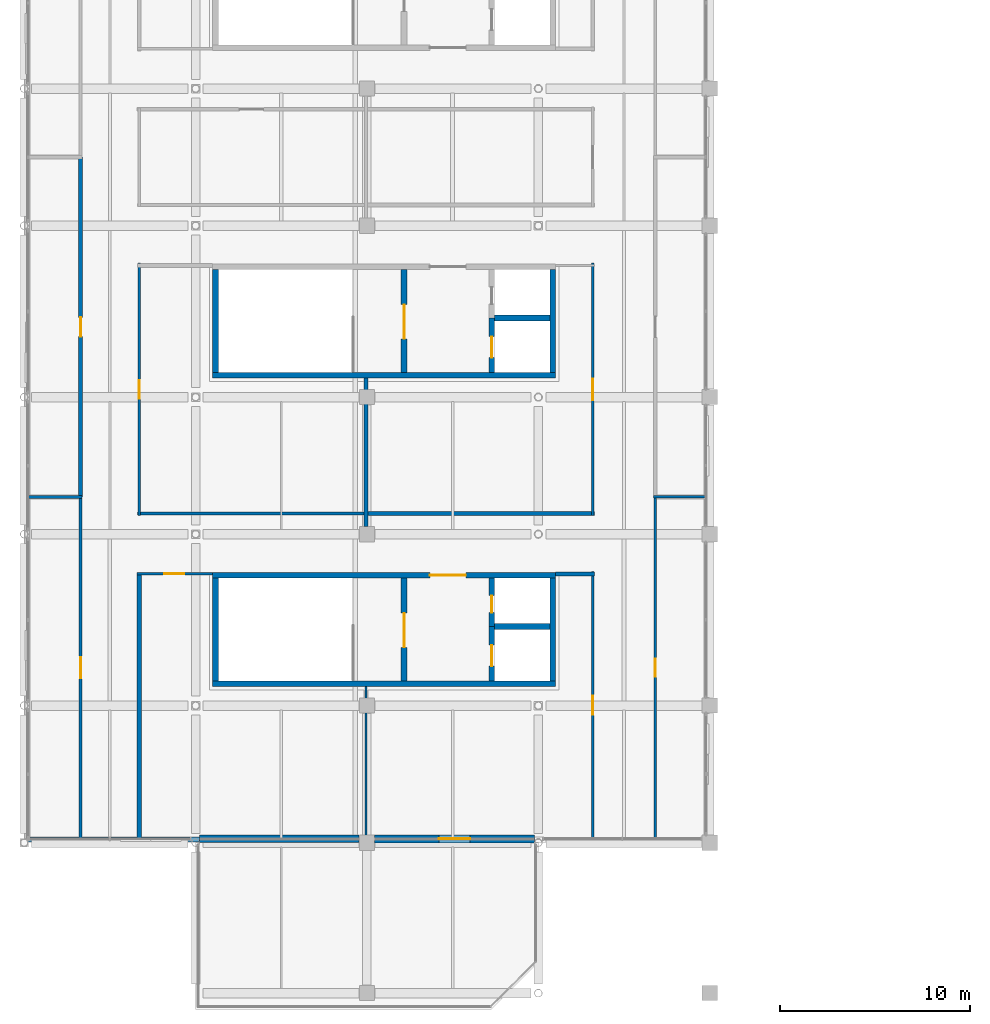
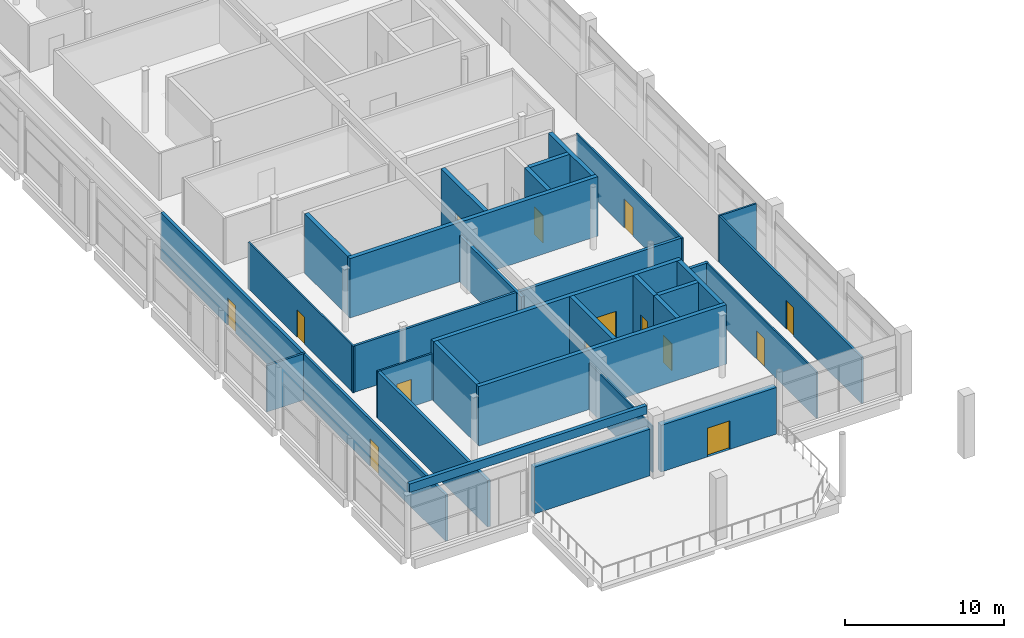
# One storey, part 103 of 114: 32 walls, 14 doors, 14 openings.
"""IFC4 building model written with IfcOpenShell, lengths in metres."""

from ifc_helpers import new_model, si_unit, direction, frame, frame_2d, origin, place, context, subcontext, project, spatial, rectangle, extrude, material, layer, layer_set, type_object, element, fill, save


model = new_model("IFC4")

# Units and contexts
model_context = context("Model", 3, precision=1e-05, world=origin(), true_north=direction((0.0, 1.0)))
body_context = subcontext(model_context, "Body", "Model", "MODEL_VIEW")
ifc_project = project(units=[si_unit("LENGTHUNIT", "METRE"), si_unit("AREAUNIT", "SQUARE_METRE"), si_unit("VOLUMEUNIT", "CUBIC_METRE"), si_unit("PLANEANGLEUNIT", "RADIAN"), si_unit("MASSUNIT", "GRAM", prefix="KILO"), si_unit("THERMODYNAMICTEMPERATUREUNIT", "KELVIN"), si_unit("POWERUNIT", "WATT")], contexts=[model_context])

# Site, building, storey
site_placement = place(None, origin())
site = spatial("IfcSite", under=ifc_project, at=site_placement, CompositionType="ELEMENT")
building_placement = place(site_placement, origin())
building = spatial("IfcBuilding", under=site, at=building_placement, Name="Sindhuravela Promenade Stadium", CompositionType="ELEMENT")
storey_placement = place(building_placement, frame((0.0, 0.0, 24.0)))
storey = spatial("IfcBuildingStorey", under=building, at=storey_placement, Name="L05", CompositionType="ELEMENT", Elevation=24.0)

# Wall
ifc_material_1 = material(Name="Terracotta clay brick masonry (15 MPa)", Category="masonry")
ifc_layer_1 = layer(ifc_material_1, 0.39990234375)
ifc_layer_set_1 = layer_set([ifc_layer_1], Name="Terracotta clay brick masonry (15 MPa)")
wall_type_1 = type_object("IfcWallType", Name="EX-WL-BRK400", PredefinedType="SOLIDWALL", material=ifc_layer_set_1)
wall_1_placement = place(storey_placement, frame((17.594970703125, 45.199951171875, 0.0), z_axis=(0.0, 0.0, 1.0), x_axis=(-1.0, 0.0, 0.0)))
element("IfcWall", 1, at=wall_1_placement, inside=storey, type_object=wall_type_1, Name="Exterior masonry wall EW03 WEST L05", PredefinedType="SOLIDWALL", context=body_context, shape_type="SweptSolid", body=[
    extrude(rectangle(XDim=8.38671875, YDim=0.39990234375, at=frame_2d((4.193359375, 0.0))), origin(), (0.0, 0.0, 1.0), 3.580078125),
])

# Wall, opening, door
ifc_layer_2 = layer(ifc_material_1, 0.419921875)
ifc_layer_set_2 = layer_set([ifc_layer_2], Name="Terracotta clay brick masonry (15 MPa)")
wall_type_2 = type_object("IfcWallType", Name="EX-WL-BRK420", PredefinedType="SOLIDWALL", material=ifc_layer_set_2)
wall_2_placement = place(storey_placement, frame((26.791748046875, 45.199951171875, 0.0), z_axis=(0.0, 0.0, 1.0), x_axis=(-1.0, 0.0, 0.0)))
wall_2 = element("IfcWall", 2, at=wall_2_placement, inside=storey, type_object=wall_type_2, Name="Exterior masonry wall EW02 WEST L05", PredefinedType="SOLIDWALL", context=body_context, shape_type="SweptSolid", body=[
    extrude(rectangle(XDim=8.38671875, YDim=0.419921875, at=frame_2d((4.193359375, 0.0))), origin(), (0.0, 0.0, 1.0), 3.580078125),
])
opening_1_placement = place(wall_2_placement, frame((3.368408203125, 0.0, 0.0)))
opening_1 = element("IfcOpeningElement", 3, at=opening_1_placement, cuts=wall_2, Name="Opening TD03", PredefinedType="OPENING", context=body_context, shape_type="SweptSolid", body=[
    extrude(rectangle(XDim=1.64990234375, YDim=2.199951171875, at=frame_2d((0.824951171875, 1.10009765625))), frame((0.0, 0.219970703125, 0.0), z_axis=(0.0, -1.0, 0.0), x_axis=(1.0, 0.0, 0.0)), (0.0, 0.0, 1.0), 0.43994140625),
])
ifc_material_2 = material(Name="Anodised architectural aluminium 6063-T6", Category="aluminium")
door_type_1 = type_object("IfcDoorType", Name="DR-TER-1650x2200", OperationType="DOUBLE_DOOR_SINGLE_SWING", PredefinedType="DOOR", material=ifc_material_2)
door_1_placement = place(opening_1_placement, origin())
door_1 = element("IfcDoor", 4, at=door_1_placement, inside=storey, type_object=door_type_1, Name="Terrace access door West Stand South Observation Terrace", OperationType="DOUBLE_DOOR_SINGLE_SWING", OverallHeight=2.199951171875, OverallWidth=1.64990234375, PredefinedType="DOOR", context=body_context, shape_type="SweptSolid", body=[
    extrude(rectangle(XDim=1.64990234375, YDim=2.199951171875, at=frame_2d((0.824951171875, 1.10009765625))), frame((0.0, 0.02490234375, 0.0), z_axis=(0.0, -1.0, 0.0), x_axis=(1.0, 0.0, 0.0)), (0.0, 0.0, 1.0), 0.050048828125),
])
fill(opening_1, door_1)

# Walls
ifc_layer_3 = layer(ifc_material_1, 0.27001953125)
ifc_layer_set_3 = layer_set([ifc_layer_3], Name="Terracotta clay brick masonry (15 MPa)")
wall_type_3 = type_object("IfcWallType", Name="EX-WL-PAR270", PredefinedType="PARAPET", material=ifc_layer_set_3)
wall_3_placement = place(storey_placement, frame((17.389892578125, 45.159912109375, 4.800048828125), z_axis=(0.0, 0.0, 1.0), x_axis=(-1.0, 0.0, 0.0)))
element("IfcWall", 5, at=wall_3_placement, inside=storey, type_object=wall_type_3, Name="Maintenance roof parapet WEST 4", PredefinedType="PARAPET", context=body_context, shape_type="SweptSolid", body=[
    extrude(rectangle(XDim=17.22998046875, YDim=0.27001953125, at=frame_2d((8.614990234375, 0.0))), origin(), (0.0, 0.0, 1.0), 0.64990234375),
])
ifc_material_3 = material(Name="Fire-rated gypsum partition board", Category="gypsum")
ifc_layer_4 = layer(ifc_material_3, 0.110107421875)
ifc_layer_set_4 = layer_set([ifc_layer_4], Name="Fire-rated gypsum partition board")
wall_type_4 = type_object("IfcWallType", Name="IN-WL-PAR110", PredefinedType="PARTITIONING", material=ifc_layer_set_4)
wall_4_placement = place(storey_placement, frame((17.949951171875, 53.197998046875, 0.0), z_axis=(0.0, 0.0, 1.0), x_axis=(0.0, -1.0, 0.0)))
element("IfcWall", 6, at=wall_4_placement, inside=storey, type_object=wall_type_4, Name="Interior partition IW06 WEST L05", PredefinedType="PARTITIONING", context=body_context, shape_type="SweptSolid", body=[
    extrude(rectangle(XDim=7.9580078125, YDim=0.110107421875, at=frame_2d((3.97900390625, 0.0))), origin(), (0.0, 0.0, 1.0), 3.56005859375),
])

# Wall, opening, door
wall_5_placement = place(storey_placement, frame((6.0400390625, 75.429931640625, 0.0), z_axis=(0.0, 0.0, 1.0), x_axis=(0.0, -1.0, 0.0)))
wall_5 = element("IfcWall", 7, at=wall_5_placement, inside=storey, type_object=wall_type_4, Name="Corridor partition IW06 Television Broadcast Studio A", PredefinedType="PARTITIONING", context=body_context, shape_type="SweptSolid", body=[
    extrude(rectangle(XDim=13.260009765625, YDim=0.110107421875, at=frame_2d((6.6298828125, 0.0))), origin(), (0.0, 0.0, 1.0), 3.56005859375),
])
opening_2_placement = place(wall_5_placement, frame((6.155029296875, 0.0, 0.0)))
opening_2 = element("IfcOpeningElement", 8, at=opening_2_placement, cuts=wall_5, Name="Opening ID09", PredefinedType="OPENING", context=body_context, shape_type="SweptSolid", body=[
    extrude(rectangle(XDim=0.949951171875, YDim=2.10009765625, at=frame_2d((0.47509765625, 1.050048828125))), frame((0.0, 0.06494140625, 0.0), z_axis=(0.0, -1.0, 0.0), x_axis=(1.0, 0.0, 0.0)), (0.0, 0.0, 1.0), 0.130126953125),
])
ifc_material_4 = material(Name="Architectural teak timber leaf", Category="wood")
door_type_2 = type_object("IfcDoorType", Name="DR-INT-950x2100", OperationType="NOTDEFINED", PredefinedType="DOOR", material=ifc_material_4)
door_2_placement = place(opening_2_placement, origin())
door_2 = element("IfcDoor", 9, at=door_2_placement, inside=storey, type_object=door_type_2, Name="Television Broadcast Studio A door", OperationType="SINGLE_SWING_LEFT", OverallHeight=2.10009765625, OverallWidth=0.949951171875, PredefinedType="DOOR", context=body_context, shape_type="SweptSolid", body=[
    extrude(rectangle(XDim=0.949951171875, YDim=2.10009765625, at=frame_2d((0.47509765625, 1.050048828125))), frame((0.0, 0.02490234375, 0.0), z_axis=(0.0, -1.0, 0.0), x_axis=(1.0, 0.0, 0.0)), (0.0, 0.0, 1.0), 0.050048828125),
])
fill(opening_2, door_2)

wall_6_placement = place(storey_placement, frame((29.860107421875, 45.199951171875, 0.0), z_axis=(0.0, 0.0, 1.0), x_axis=(0.0, 1.0, 0.0)))
wall_6 = element("IfcWall", 10, at=wall_6_placement, inside=storey, type_object=wall_type_4, Name="Corridor partition IW06 Match Commentary Boxes", PredefinedType="PARTITIONING", context=body_context, shape_type="SweptSolid", body=[
    extrude(rectangle(XDim=14.030029296875, YDim=0.110107421875, at=frame_2d((7.01513671875, 0.0))), origin(), (0.0, 0.0, 1.0), 3.56005859375),
])
opening_3_placement = place(wall_6_placement, frame((6.5048828125, 0.0, 0.0)))
opening_3 = element("IfcOpeningElement", 11, at=opening_3_placement, cuts=wall_6, Name="Opening ID11", PredefinedType="OPENING", context=body_context, shape_type="SweptSolid", body=[
    extrude(rectangle(XDim=1.02001953125, YDim=2.159912109375, at=frame_2d((0.510009765625, 1.080078125))), frame((0.0, 0.06494140625, 0.0), z_axis=(0.0, -1.0, 0.0), x_axis=(1.0, 0.0, 0.0)), (0.0, 0.0, 1.0), 0.130126953125),
])
door_type_3 = type_object("IfcDoorType", Name="DR-INT-1020x2160", OperationType="NOTDEFINED", PredefinedType="DOOR", material=ifc_material_4)
door_3_placement = place(opening_3_placement, origin())
door_3 = element("IfcDoor", 12, at=door_3_placement, inside=storey, type_object=door_type_3, Name="Match Commentary Boxes door", OperationType="SINGLE_SWING_LEFT", OverallHeight=2.159912109375, OverallWidth=1.02001953125, PredefinedType="DOOR", context=body_context, shape_type="SweptSolid", body=[
    extrude(rectangle(XDim=1.02001953125, YDim=2.159912109375, at=frame_2d((0.510009765625, 1.080078125))), frame((0.0, 0.02490234375, 0.0), z_axis=(0.0, -1.0, 0.0), x_axis=(1.0, 0.0, 0.0)), (0.0, 0.0, 1.0), 0.050048828125),
])
fill(opening_3, door_3)

ifc_layer_5 = layer(ifc_material_3, 0.1298828125)
ifc_layer_set_5 = layer_set([ifc_layer_5], Name="Fire-rated gypsum partition board")
wall_type_5 = type_object("IfcWallType", Name="IN-WL-PAR130", PredefinedType="PARTITIONING", material=ifc_layer_set_5)
wall_7_placement = place(storey_placement, frame((9.89794921875, 59.110107421875, 0.0), z_axis=(0.0, 0.0, 1.0), x_axis=(-1.0, 0.0, 0.0)))
wall_7 = element("IfcWall", 13, at=wall_7_placement, inside=storey, type_object=wall_type_5, Name="Corridor partition IW05 Press Conference Hall", PredefinedType="PARTITIONING", context=body_context, shape_type="SweptSolid", body=[
    extrude(rectangle(XDim=3.97802734375, YDim=0.1298828125, at=frame_2d((1.989013671875, 0.0))), origin(), (0.0, 0.0, 1.0), 3.56005859375),
])
opening_4_placement = place(wall_7_placement, frame((1.5029296875, 0.0, 0.0)))
opening_4 = element("IfcOpeningElement", 14, at=opening_4_placement, cuts=wall_7, Name="Opening ID07", PredefinedType="OPENING", context=body_context, shape_type="SweptSolid", body=[
    extrude(rectangle(XDim=1.050048828125, YDim=2.10009765625, at=frame_2d((0.52490234375, 1.050048828125))), frame((0.0, 0.074951171875, 0.0), z_axis=(0.0, -1.0, 0.0), x_axis=(1.0, 0.0, 0.0)), (0.0, 0.0, 1.0), 0.14990234375),
])
door_type_4 = type_object("IfcDoorType", Name="DR-INT-1050x2100", OperationType="NOTDEFINED", PredefinedType="DOOR", material=ifc_material_4)
door_4_placement = place(opening_4_placement, origin())
door_4 = element("IfcDoor", 15, at=door_4_placement, inside=storey, type_object=door_type_4, Name="Press Conference Hall door", OperationType="SINGLE_SWING_LEFT", OverallHeight=2.10009765625, OverallWidth=1.050048828125, PredefinedType="DOOR", context=body_context, shape_type="SweptSolid", body=[
    extrude(rectangle(XDim=1.050048828125, YDim=2.10009765625, at=frame_2d((0.52490234375, 1.050048828125))), frame((0.0, 0.02490234375, 0.0), z_axis=(0.0, -1.0, 0.0), x_axis=(1.0, 0.0, 0.0)), (0.0, 0.0, 1.0), 0.050048828125),
])
fill(opening_4, door_4)

wall_8_placement = place(storey_placement, frame((29.860107421875, 62.169921875, 0.0), z_axis=(0.0, 0.0, 1.0), x_axis=(0.0, 1.0, 0.0)))
wall_8 = element("IfcWall", 16, at=wall_8_placement, inside=storey, type_object=wall_type_5, Name="Corridor partition IW05 Broadcast Technical Rack Room", PredefinedType="PARTITIONING", context=body_context, shape_type="SweptSolid", body=[
    extrude(rectangle(XDim=13.260009765625, YDim=0.1298828125, at=frame_2d((6.6298828125, 0.0))), origin(), (0.0, 0.0, 1.0), 3.56005859375),
])
opening_5_placement = place(wall_8_placement, frame((6.070068359375, 0.0, 0.0)))
opening_5 = element("IfcOpeningElement", 17, at=opening_5_placement, cuts=wall_8, Name="Opening ID13", PredefinedType="OPENING", context=body_context, shape_type="SweptSolid", body=[
    extrude(rectangle(XDim=1.1201171875, YDim=2.219970703125, at=frame_2d((0.56005859375, 1.10986328125))), frame((0.0, 0.074951171875, 0.0), z_axis=(0.0, -1.0, 0.0), x_axis=(1.0, 0.0, 0.0)), (0.0, 0.0, 1.0), 0.14990234375),
])
door_type_5 = type_object("IfcDoorType", Name="DR-INT-1120x2220", OperationType="NOTDEFINED", PredefinedType="DOOR", material=ifc_material_4)
door_5_placement = place(opening_5_placement, origin())
door_5 = element("IfcDoor", 18, at=door_5_placement, inside=storey, type_object=door_type_5, Name="Broadcast Technical Rack Room door", OperationType="SINGLE_SWING_LEFT", OverallHeight=2.219970703125, OverallWidth=1.1201171875, PredefinedType="DOOR", context=body_context, shape_type="SweptSolid", body=[
    extrude(rectangle(XDim=1.1201171875, YDim=2.219970703125, at=frame_2d((0.56005859375, 1.10986328125))), frame((0.0, 0.02490234375, 0.0), z_axis=(0.0, -1.0, 0.0), x_axis=(1.0, 0.0, 0.0)), (0.0, 0.0, 1.0), 0.050048828125),
])
fill(opening_5, door_5)

# Walls
wall_9_placement = place(storey_placement, frame((33.06005859375, 63.159912109375, 0.0), z_axis=(0.0, 0.0, 1.0), x_axis=(1.0, 0.0, 0.0)))
element("IfcWall", 19, at=wall_9_placement, inside=storey, type_object=wall_type_5, Name="Interior partition IW05 WEST L05", PredefinedType="PARTITIONING", context=body_context, shape_type="SweptSolid", body=[
    extrude(rectangle(XDim=2.70703125, YDim=0.1298828125, at=frame_2d((1.353515625, 0.0))), origin(), (0.0, 0.0, 1.0), 3.56005859375),
])
ifc_layer_6 = layer(ifc_material_3, 0.14990234375)
ifc_layer_set_6 = layer_set([ifc_layer_6], Name="Fire-rated gypsum partition board")
wall_type_6 = type_object("IfcWallType", Name="IN-WL-PAR150", PredefinedType="PARTITIONING", material=ifc_layer_set_6)
wall_10_placement = place(storey_placement, frame((0.23291015625, 63.159912109375, 0.0), z_axis=(0.0, 0.0, 1.0), x_axis=(1.0, 0.0, 0.0)))
element("IfcWall", 20, at=wall_10_placement, inside=storey, type_object=wall_type_6, Name="Interior partition IW04 WEST L05", PredefinedType="PARTITIONING", context=body_context, shape_type="SweptSolid", body=[
    extrude(rectangle(XDim=2.80712890625, YDim=0.14990234375, at=frame_2d((1.403564453125, 0.0))), origin(), (0.0, 0.0, 1.0), 3.56005859375),
])

# Wall, opening, door
wall_11_placement = place(storey_placement, frame((33.139892578125, 63.159912109375, 0.0), z_axis=(0.0, 0.0, 1.0), x_axis=(0.0, -1.0, 0.0)))
wall_11 = element("IfcWall", 21, at=wall_11_placement, inside=storey, type_object=wall_type_6, Name="Corridor partition IW04 Match Commentary Boxes 6", PredefinedType="PARTITIONING", context=body_context, shape_type="SweptSolid", body=[
    extrude(rectangle(XDim=17.9599609375, YDim=0.14990234375, at=frame_2d((8.97998046875, 0.0))), origin(), (0.0, 0.0, 1.0), 3.56005859375),
])
opening_6_placement = place(wall_11_placement, frame((8.5048828125, 0.0, 0.0)))
opening_6 = element("IfcOpeningElement", 22, at=opening_6_placement, cuts=wall_11, Name="Opening ID10", PredefinedType="OPENING", context=body_context, shape_type="SweptSolid", body=[
    extrude(rectangle(XDim=0.949951171875, YDim=2.179931640625, at=frame_2d((0.47509765625, 1.08984375))), frame((0.0, 0.0849609375, 0.0), z_axis=(0.0, -1.0, 0.0), x_axis=(1.0, 0.0, 0.0)), (0.0, 0.0, 1.0), 0.169921875),
])
door_type_6 = type_object("IfcDoorType", Name="DR-INT-950x2180", OperationType="NOTDEFINED", PredefinedType="DOOR", material=ifc_material_4)
door_6_placement = place(opening_6_placement, origin())
door_6 = element("IfcDoor", 23, at=door_6_placement, inside=storey, type_object=door_type_6, Name="Match Commentary Boxes 6 door", OperationType="SINGLE_SWING_RIGHT", OverallHeight=2.179931640625, OverallWidth=0.949951171875, PredefinedType="DOOR", context=body_context, shape_type="SweptSolid", body=[
    extrude(rectangle(XDim=0.949951171875, YDim=2.179931640625, at=frame_2d((0.47509765625, 1.08984375))), frame((0.0, 0.02490234375, 0.0), z_axis=(0.0, -1.0, 0.0), x_axis=(1.0, 0.0, 0.0)), (0.0, 0.0, 1.0), 0.050048828125),
])
fill(opening_6, door_6)

# Wall
ifc_layer_7 = layer(ifc_material_3, 0.175048828125)
ifc_layer_set_7 = layer_set([ifc_layer_7], Name="Fire-rated gypsum partition board")
wall_type_7 = type_object("IfcWallType", Name="IN-WL-PAR175", PredefinedType="PARTITIONING", material=ifc_layer_set_7)
wall_12_placement = place(storey_placement, frame((17.909912109375, 62.2900390625, 0.0), z_axis=(0.0, 0.0, 1.0), x_axis=(-1.0, 0.0, 0.0)))
element("IfcWall", 24, at=wall_12_placement, inside=storey, type_object=wall_type_7, Name="Interior partition IW03 WEST L05", PredefinedType="PARTITIONING", context=body_context, shape_type="SweptSolid", body=[
    extrude(rectangle(XDim=11.949951171875, YDim=0.175048828125, at=frame_2d((5.97509765625, 0.0))), origin(), (0.0, 0.0, 1.0), 3.56005859375),
])

# Wall, opening, door
wall_13_placement = place(storey_placement, frame((2.9599609375, 45.199951171875, 0.0), z_axis=(0.0, 0.0, 1.0), x_axis=(0.0, 1.0, 0.0)))
wall_13 = element("IfcWall", 25, at=wall_13_placement, inside=storey, type_object=wall_type_7, Name="Corridor partition IW03 Press Conference Hall 2", PredefinedType="PARTITIONING", context=body_context, shape_type="SweptSolid", body=[
    extrude(rectangle(XDim=17.9599609375, YDim=0.175048828125, at=frame_2d((8.97998046875, 0.0))), origin(), (0.0, 0.0, 1.0), 3.56005859375),
])
opening_7_placement = place(wall_13_placement, frame((8.429931640625, 0.0, 0.0)))
opening_7 = element("IfcOpeningElement", 26, at=opening_7_placement, cuts=wall_13, Name="Opening ID06", PredefinedType="OPENING", context=body_context, shape_type="SweptSolid", body=[
    extrude(rectangle(XDim=1.10009765625, YDim=2.10009765625, at=frame_2d((0.550048828125, 1.050048828125))), frame((0.0, 0.097412109375, 0.0), z_axis=(0.0, -1.0, 0.0), x_axis=(1.0, 0.0, 0.0)), (0.0, 0.0, 1.0), 0.195068359375),
])
door_type_7 = type_object("IfcDoorType", Name="DR-INT-1100x2100", OperationType="NOTDEFINED", PredefinedType="DOOR", material=ifc_material_4)
door_7_placement = place(opening_7_placement, origin())
door_7 = element("IfcDoor", 27, at=door_7_placement, inside=storey, type_object=door_type_7, Name="Press Conference Hall 2 door", OperationType="SINGLE_SWING_RIGHT", OverallHeight=2.10009765625, OverallWidth=1.10009765625, PredefinedType="DOOR", context=body_context, shape_type="SweptSolid", body=[
    extrude(rectangle(XDim=1.10009765625, YDim=2.10009765625, at=frame_2d((0.550048828125, 1.050048828125))), frame((0.0, 0.02490234375, 0.0), z_axis=(0.0, -1.0, 0.0), x_axis=(1.0, 0.0, 0.0)), (0.0, 0.0, 1.0), 0.050048828125),
])
fill(opening_7, door_7)

# Walls
ifc_layer_8 = layer(ifc_material_3, 0.195068359375)
ifc_layer_set_8 = layer_set([ifc_layer_8], Name="Fire-rated gypsum partition board")
wall_type_8 = type_object("IfcWallType", Name="IN-WL-PAR195", PredefinedType="PARTITIONING", material=ifc_layer_set_8)
wall_14_placement = place(storey_placement, frame((17.949951171875, 69.39794921875, 0.0), z_axis=(0.0, 0.0, 1.0), x_axis=(0.0, -1.0, 0.0)))
element("IfcWall", 28, at=wall_14_placement, inside=storey, type_object=wall_type_8, Name="Interior partition IW02 WEST L05", PredefinedType="PARTITIONING", context=body_context, shape_type="SweptSolid", body=[
    extrude(rectangle(XDim=7.7958984375, YDim=0.195068359375, at=frame_2d((3.89794921875, 0.0))), origin(), (0.0, 0.0, 1.0), 3.56005859375),
])
ifc_layer_9 = layer(ifc_material_3, 0.219970703125)
ifc_layer_set_9 = layer_set([ifc_layer_9], Name="Fire-rated gypsum partition board")
wall_type_9 = type_object("IfcWallType", Name="IN-WL-PAR220", PredefinedType="PARTITIONING", material=ifc_layer_set_9)
wall_15_placement = place(storey_placement, frame((6.0400390625, 45.23291015625, 0.0), z_axis=(0.0, 0.0, 1.0), x_axis=(0.0, 1.0, 0.0)))
element("IfcWall", 29, at=wall_15_placement, inside=storey, type_object=wall_type_9, Name="Interior partition IW01 WEST L05", PredefinedType="PARTITIONING", context=body_context, shape_type="SweptSolid", body=[
    extrude(rectangle(XDim=13.95703125, YDim=0.219970703125, at=frame_2d((6.978515625, 0.0))), origin(), (0.0, 0.0, 1.0), 3.56005859375),
])
wall_16_placement = place(storey_placement, frame((27.902099609375, 59.110107421875, 0.0), z_axis=(0.0, 0.0, 1.0), x_axis=(1.0, 0.0, 0.0)))
element("IfcWall", 30, at=wall_16_placement, inside=storey, type_object=wall_type_9, Name="Interior partition IW01 WEST L05", PredefinedType="PARTITIONING", context=body_context, shape_type="SweptSolid", body=[
    extrude(rectangle(XDim=2.037841796875, YDim=0.219970703125, at=frame_2d((1.01904296875, 0.0))), origin(), (0.0, 0.0, 1.0), 3.56005859375),
])
wall_17_placement = place(storey_placement, frame((29.93994140625, 62.2900390625, 0.0), z_axis=(0.0, 0.0, 1.0), x_axis=(-1.0, 0.0, 0.0)))
element("IfcWall", 31, at=wall_17_placement, inside=storey, type_object=wall_type_9, Name="Interior partition IW01 WEST L05", PredefinedType="PARTITIONING", context=body_context, shape_type="SweptSolid", body=[
    extrude(rectangle(XDim=11.949951171875, YDim=0.219970703125, at=frame_2d((5.97509765625, 0.0))), origin(), (0.0, 0.0, 1.0), 3.56005859375),
])

# Wall, opening, door
wall_18_placement = place(storey_placement, frame((2.9599609375, 63.159912109375, 0.0), z_axis=(0.0, 0.0, 1.0), x_axis=(0.0, 1.0, 0.0)))
wall_18 = element("IfcWall", 32, at=wall_18_placement, inside=storey, type_object=wall_type_9, Name="Corridor partition IW01 Television Broadcast Studio A 4", PredefinedType="PARTITIONING", context=body_context, shape_type="SweptSolid", body=[
    extrude(rectangle(XDim=17.840087890625, YDim=0.219970703125, at=frame_2d((8.919921875, 0.0))), origin(), (0.0, 0.0, 1.0), 3.56005859375),
])
opening_8_placement = place(wall_18_placement, frame((8.419921875, 0.0, 0.0)))
opening_8 = element("IfcOpeningElement", 33, at=opening_8_placement, cuts=wall_18, Name="Opening ID08", PredefinedType="OPENING", context=body_context, shape_type="SweptSolid", body=[
    extrude(rectangle(XDim=1.0, YDim=2.10009765625, at=frame_2d((0.5, 1.050048828125))), frame((0.0, 0.119873046875, 0.0), z_axis=(0.0, -1.0, 0.0), x_axis=(1.0, 0.0, 0.0)), (0.0, 0.0, 1.0), 0.239990234375),
])
door_type_8 = type_object("IfcDoorType", Name="DR-INT-1000x2100", OperationType="NOTDEFINED", PredefinedType="DOOR", material=ifc_material_4)
door_8_placement = place(opening_8_placement, origin())
door_8 = element("IfcDoor", 34, at=door_8_placement, inside=storey, type_object=door_type_8, Name="Television Broadcast Studio A 4 door", OperationType="SINGLE_SWING_RIGHT", OverallHeight=2.10009765625, OverallWidth=1.0, PredefinedType="DOOR", context=body_context, shape_type="SweptSolid", body=[
    extrude(rectangle(XDim=1.0, YDim=2.10009765625, at=frame_2d((0.5, 1.050048828125))), frame((0.0, 0.02490234375, 0.0), z_axis=(0.0, -1.0, 0.0), x_axis=(1.0, 0.0, 0.0)), (0.0, 0.0, 1.0), 0.050048828125),
])
fill(opening_8, door_8)

# Wall
ifc_material_5 = material(Name="Concrete M50", Category="concrete")
ifc_layer_10 = layer(ifc_material_5, 0.300048828125)
ifc_layer_set_10 = layer_set([ifc_layer_10], Name="Concrete M50")
wall_type_10 = type_object("IfcWallType", Name="RC-SW-300", PredefinedType="SHEAR", material=ifc_layer_set_10)
wall_19_placement = place(storey_placement, frame((9.89990234375, 53.35009765625, 0.0), z_axis=(0.0, 0.0, 1.0), x_axis=(1.0, 0.0, 0.0)))
element("IfcWall", 35, at=wall_19_placement, inside=storey, type_object=wall_type_10, Name="Core shear wall C01-S (L05)", PredefinedType="SHEAR", context=body_context, shape_type="SweptSolid", body=[
    extrude(rectangle(XDim=18.0, YDim=0.300048828125, at=frame_2d((9.0, 0.0))), origin(), (0.0, 0.0, 1.0), 4.56005859375),
])

# Wall, opening, door
wall_20_placement = place(storey_placement, frame((27.89990234375, 59.050048828125, 0.0), z_axis=(0.0, 0.0, 1.0), x_axis=(-1.0, 0.0, 0.0)))
wall_20 = element("IfcWall", 36, at=wall_20_placement, inside=storey, type_object=wall_type_10, Name="Core shear wall C01-N (L05)", PredefinedType="SHEAR", context=body_context, shape_type="SweptSolid", body=[
    extrude(rectangle(XDim=18.0, YDim=0.300048828125, at=frame_2d((9.0, 0.0))), origin(), (0.0, 0.0, 1.0), 4.56005859375),
])
opening_9_placement = place(wall_20_placement, frame((4.699951171875, 0.0, 0.0)))
opening_9 = element("IfcOpeningElement", 37, at=opening_9_placement, cuts=wall_20, Name="Opening FD02", PredefinedType="OPENING", context=body_context, shape_type="SweptSolid", body=[
    extrude(rectangle(XDim=1.89990234375, YDim=2.25, at=frame_2d((0.949951171875, 1.125))), frame((0.0, 0.159912109375, 0.0), z_axis=(0.0, -1.0, 0.0), x_axis=(1.0, 0.0, 0.0)), (0.0, 0.0, 1.0), 0.320068359375),
])
ifc_material_6 = material(Name="Architectural wrought steel E350", Category="steel")
door_type_9 = type_object("IfcDoorType", Name="DR-LOB-1900x2250", OperationType="DOUBLE_DOOR_SINGLE_SWING", PredefinedType="DOOR", material=ifc_material_6)
door_9_placement = place(opening_9_placement, origin())
door_9 = element("IfcDoor", 38, at=door_9_placement, inside=storey, type_object=door_type_9, Name="Protected lobby entrance door C01 (L05)", OperationType="DOUBLE_DOOR_SINGLE_SWING", OverallHeight=2.25, OverallWidth=1.89990234375, PredefinedType="DOOR", context=body_context, shape_type="SweptSolid", body=[
    extrude(rectangle(XDim=1.89990234375, YDim=2.25, at=frame_2d((0.949951171875, 1.125))), frame((0.0, 0.02490234375, 0.0), z_axis=(0.0, -1.0, 0.0), x_axis=(1.0, 0.0, 0.0)), (0.0, 0.0, 1.0), 0.050048828125),
])
fill(opening_9, door_9)

# Walls
for number, where, z_axis, x_axis, name in (
    (39, (10.050048828125, 58.89990234375, 0.0), (0.0, 0.0, 1.0), (0.0, -1.0, 0.0), "Core shear wall C01-W (L05)"),
    (40, (27.75, 53.5, 0.0), (0.0, 0.0, 1.0), (0.0, 1.0, 0.0), "Core shear wall C01-E (L05)"),
):
    element("IfcWall", number, at=place(storey_placement, frame(where, z_axis=z_axis, x_axis=x_axis)), inside=storey, type_object=wall_type_10, Name=name, PredefinedType="SHEAR", context=body_context, shape_type="SweptSolid", body=[
        extrude(rectangle(XDim=5.39990234375, YDim=0.300048828125, at=frame_2d((2.699951171875, 0.0))), origin(), (0.0, 0.0, 1.0), 4.56005859375),
    ])

# Wall, opening, door
wall_21_placement = place(storey_placement, frame((19.949951171875, 53.5, 0.0), z_axis=(0.0, 0.0, 1.0), x_axis=(0.0, 1.0, 0.0)))
wall_21 = element("IfcWall", 41, at=wall_21_placement, inside=storey, type_object=wall_type_10, Name="Core shear wall C01-ST (L05)", PredefinedType="SHEAR", context=body_context, shape_type="SweptSolid", body=[
    extrude(rectangle(XDim=5.39990234375, YDim=0.300048828125, at=frame_2d((2.699951171875, 0.0))), origin(), (0.0, 0.0, 1.0), 4.56005859375),
])
opening_10_placement = place(wall_21_placement, frame((1.75, 0.0, 0.0)))
opening_10 = element("IfcOpeningElement", 42, at=opening_10_placement, cuts=wall_21, Name="Opening FD01", PredefinedType="OPENING", context=body_context, shape_type="SweptSolid", body=[
    extrude(rectangle(XDim=1.800048828125, YDim=2.25, at=frame_2d((0.89990234375, 1.125))), frame((0.0, 0.159912109375, 0.0), z_axis=(0.0, -1.0, 0.0), x_axis=(1.0, 0.0, 0.0)), (0.0, 0.0, 1.0), 0.320068359375),
])
door_type_10 = type_object("IfcDoorType", Name="DR-CORE-1800x2250", OperationType="DOUBLE_DOOR_SINGLE_SWING", PredefinedType="DOOR", material=ifc_material_6)
door_10_placement = place(opening_10_placement, origin())
door_10 = element("IfcDoor", 43, at=door_10_placement, inside=storey, type_object=door_type_10, Name="Stair ST01 lobby fire door (L05)", OperationType="DOUBLE_DOOR_SINGLE_SWING", OverallHeight=2.25, OverallWidth=1.800048828125, PredefinedType="DOOR", context=body_context, shape_type="SweptSolid", body=[
    extrude(rectangle(XDim=1.800048828125, YDim=2.25, at=frame_2d((0.89990234375, 1.125))), frame((0.0, 0.02490234375, 0.0), z_axis=(0.0, -1.0, 0.0), x_axis=(1.0, 0.0, 0.0)), (0.0, 0.0, 1.0), 0.050048828125),
])
fill(opening_10, door_10)

wall_22_placement = place(storey_placement, frame((24.550048828125, 53.5, 0.0), z_axis=(0.0, 0.0, 1.0), x_axis=(0.0, 1.0, 0.0)))
wall_22 = element("IfcWall", 44, at=wall_22_placement, inside=storey, type_object=wall_type_10, Name="Core shear wall C01-LFT (L05)", PredefinedType="SHEAR", context=body_context, shape_type="SweptSolid", body=[
    extrude(rectangle(XDim=2.85009765625, YDim=0.300048828125, at=frame_2d((1.425048828125, 0.0))), origin(), (0.0, 0.0, 1.0), 4.56005859375),
])
opening_11_placement = place(wall_22_placement, frame((0.77490234375, 0.0, 0.0)))
opening_11 = element("IfcOpeningElement", 45, at=opening_11_placement, cuts=wall_22, Name="Opening LD", PredefinedType="OPENING", context=body_context, shape_type="SweptSolid", body=[
    extrude(rectangle(XDim=1.10009765625, YDim=2.10009765625, at=frame_2d((0.550048828125, 1.050048828125))), frame((0.0, 0.159912109375, 0.0), z_axis=(0.0, -1.0, 0.0), x_axis=(1.0, 0.0, 0.0)), (0.0, 0.0, 1.0), 0.320068359375),
])
door_type_11 = type_object("IfcDoorType", Name="DR-LFT-1100x2100", OperationType="DOUBLE_DOOR_SLIDING", PredefinedType="DOOR", material=ifc_material_6)
door_11_placement = place(opening_11_placement, origin())
door_11 = element("IfcDoor", 46, at=door_11_placement, inside=storey, type_object=door_type_11, Name="Lift FL01 landing door (L05)", OperationType="DOUBLE_DOOR_SLIDING", OverallHeight=2.10009765625, OverallWidth=1.10009765625, PredefinedType="DOOR", context=body_context, shape_type="SweptSolid", body=[
    extrude(rectangle(XDim=1.10009765625, YDim=2.10009765625, at=frame_2d((0.550048828125, 1.050048828125))), frame((0.0, 0.02490234375, 0.0), z_axis=(0.0, -1.0, 0.0), x_axis=(1.0, 0.0, 0.0)), (0.0, 0.0, 1.0), 0.050048828125),
])
fill(opening_11, door_11)

wall_23_placement = place(storey_placement, frame((24.550048828125, 56.35009765625, 0.0), z_axis=(0.0, 0.0, 1.0), x_axis=(0.0, 1.0, 0.0)))
wall_23 = element("IfcWall", 47, at=wall_23_placement, inside=storey, type_object=wall_type_10, Name="Core shear wall C01-RSR (L05)", PredefinedType="SHEAR", context=body_context, shape_type="SweptSolid", body=[
    extrude(rectangle(XDim=2.5498046875, YDim=0.300048828125, at=frame_2d((1.27490234375, 0.0))), origin(), (0.0, 0.0, 1.0), 4.56005859375),
])
opening_12_placement = place(wall_23_placement, frame((0.72509765625, 0.0, 0.0)))
opening_12 = element("IfcOpeningElement", 48, at=opening_12_placement, cuts=wall_23, Name="Opening FD03", PredefinedType="OPENING", context=body_context, shape_type="SweptSolid", body=[
    extrude(rectangle(XDim=0.89990234375, YDim=2.10009765625, at=frame_2d((0.449951171875, 1.050048828125))), frame((0.0, 0.159912109375, 0.0), z_axis=(0.0, -1.0, 0.0), x_axis=(1.0, 0.0, 0.0)), (0.0, 0.0, 1.0), 0.320068359375),
])
door_type_12 = type_object("IfcDoorType", Name="DR-RSR-900x2100", OperationType="NOTDEFINED", PredefinedType="DOOR", material=ifc_material_6)
door_12_placement = place(opening_12_placement, origin())
door_12 = element("IfcDoor", 49, at=door_12_placement, inside=storey, type_object=door_type_12, Name="Riser shaft access door C01 (L05)", OperationType="SINGLE_SWING_RIGHT", OverallHeight=2.10009765625, OverallWidth=0.89990234375, PredefinedType="DOOR", context=body_context, shape_type="SweptSolid", body=[
    extrude(rectangle(XDim=0.89990234375, YDim=2.10009765625, at=frame_2d((0.449951171875, 1.050048828125))), frame((0.0, 0.02490234375, 0.0), z_axis=(0.0, -1.0, 0.0), x_axis=(1.0, 0.0, 0.0)), (0.0, 0.0, 1.0), 0.050048828125),
])
fill(opening_12, door_12)

# Walls
wall_24_placement = place(storey_placement, frame((24.699951171875, 56.35009765625, 0.0), z_axis=(0.0, 0.0, 1.0), x_axis=(1.0, 0.0, 0.0)))
element("IfcWall", 50, at=wall_24_placement, inside=storey, type_object=wall_type_10, Name="Core shear wall C01-DIV (L05)", PredefinedType="SHEAR", context=body_context, shape_type="SweptSolid", body=[
    extrude(rectangle(XDim=2.900146484375, YDim=0.300048828125, at=frame_2d((1.4501953125, 0.0))), origin(), (0.0, 0.0, 1.0), 4.56005859375),
])
wall_25_placement = place(storey_placement, frame((9.89990234375, 69.550048828125, 0.0), z_axis=(0.0, 0.0, 1.0), x_axis=(1.0, 0.0, 0.0)))
element("IfcWall", 51, at=wall_25_placement, inside=storey, type_object=wall_type_10, Name="Core shear wall C02-S (L05)", PredefinedType="SHEAR", context=body_context, shape_type="SweptSolid", body=[
    extrude(rectangle(XDim=18.0, YDim=0.300048828125, at=frame_2d((9.0, 0.0))), origin(), (0.0, 0.0, 1.0), 4.56005859375),
])
for number, where, z_axis, x_axis, name in (
    (52, (10.050048828125, 75.10009765625, 0.0), (0.0, 0.0, 1.0), (0.0, -1.0, 0.0), "Core shear wall C02-W (L05)"),
    (53, (27.75, 69.699951171875, 0.0), (0.0, 0.0, 1.0), (0.0, 1.0, 0.0), "Core shear wall C02-E (L05)"),
):
    element("IfcWall", number, at=place(storey_placement, frame(where, z_axis=z_axis, x_axis=x_axis)), inside=storey, type_object=wall_type_10, Name=name, PredefinedType="SHEAR", context=body_context, shape_type="SweptSolid", body=[
        extrude(rectangle(XDim=5.400146484375, YDim=0.300048828125, at=frame_2d((2.7001953125, 0.0))), origin(), (0.0, 0.0, 1.0), 4.56005859375),
    ])

# Wall, opening, door
wall_26_placement = place(storey_placement, frame((19.949951171875, 69.699951171875, 0.0), z_axis=(0.0, 0.0, 1.0), x_axis=(0.0, 1.0, 0.0)))
wall_26 = element("IfcWall", 54, at=wall_26_placement, inside=storey, type_object=wall_type_10, Name="Core shear wall C02-ST (L05)", PredefinedType="SHEAR", context=body_context, shape_type="SweptSolid", body=[
    extrude(rectangle(XDim=5.400146484375, YDim=0.300048828125, at=frame_2d((2.7001953125, 0.0))), origin(), (0.0, 0.0, 1.0), 4.56005859375),
])
opening_13_placement = place(wall_26_placement, frame((1.75, 0.0, 0.0)))
opening_13 = element("IfcOpeningElement", 55, at=opening_13_placement, cuts=wall_26, Name="Opening FD01", PredefinedType="OPENING", context=body_context, shape_type="SweptSolid", body=[
    extrude(rectangle(XDim=1.800048828125, YDim=2.25, at=frame_2d((0.89990234375, 1.125))), frame((0.0, 0.159912109375, 0.0), z_axis=(0.0, -1.0, 0.0), x_axis=(1.0, 0.0, 0.0)), (0.0, 0.0, 1.0), 0.320068359375),
])
door_13_placement = place(opening_13_placement, origin())
door_13 = element("IfcDoor", 56, at=door_13_placement, inside=storey, type_object=door_type_10, Name="Stair ST02 lobby fire door (L05)", OperationType="DOUBLE_DOOR_SINGLE_SWING", OverallHeight=2.25, OverallWidth=1.800048828125, PredefinedType="DOOR", context=body_context, shape_type="SweptSolid", body=[
    extrude(rectangle(XDim=1.800048828125, YDim=2.25, at=frame_2d((0.89990234375, 1.125))), frame((0.0, 0.02490234375, 0.0), z_axis=(0.0, -1.0, 0.0), x_axis=(1.0, 0.0, 0.0)), (0.0, 0.0, 1.0), 0.050048828125),
])
fill(opening_13, door_13)

wall_27_placement = place(storey_placement, frame((24.550048828125, 69.699951171875, 0.0), z_axis=(0.0, 0.0, 1.0), x_axis=(0.0, 1.0, 0.0)))
wall_27 = element("IfcWall", 57, at=wall_27_placement, inside=storey, type_object=wall_type_10, Name="Core shear wall C02-LFT (L05)", PredefinedType="SHEAR", context=body_context, shape_type="SweptSolid", body=[
    extrude(rectangle(XDim=2.85009765625, YDim=0.300048828125, at=frame_2d((1.425048828125, 0.0))), origin(), (0.0, 0.0, 1.0), 4.56005859375),
])
opening_14_placement = place(wall_27_placement, frame((0.77490234375, 0.0, 0.0)))
opening_14 = element("IfcOpeningElement", 58, at=opening_14_placement, cuts=wall_27, Name="Opening LD", PredefinedType="OPENING", context=body_context, shape_type="SweptSolid", body=[
    extrude(rectangle(XDim=1.10009765625, YDim=2.10009765625, at=frame_2d((0.550048828125, 1.050048828125))), frame((0.0, 0.159912109375, 0.0), z_axis=(0.0, -1.0, 0.0), x_axis=(1.0, 0.0, 0.0)), (0.0, 0.0, 1.0), 0.320068359375),
])
door_14_placement = place(opening_14_placement, origin())
door_14 = element("IfcDoor", 59, at=door_14_placement, inside=storey, type_object=door_type_11, Name="Lift FL02 landing door (L05)", OperationType="DOUBLE_DOOR_SLIDING", OverallHeight=2.10009765625, OverallWidth=1.10009765625, PredefinedType="DOOR", context=body_context, shape_type="SweptSolid", body=[
    extrude(rectangle(XDim=1.10009765625, YDim=2.10009765625, at=frame_2d((0.550048828125, 1.050048828125))), frame((0.0, 0.02490234375, 0.0), z_axis=(0.0, -1.0, 0.0), x_axis=(1.0, 0.0, 0.0)), (0.0, 0.0, 1.0), 0.050048828125),
])
fill(opening_14, door_14)

# Wall
wall_28_placement = place(storey_placement, frame((24.699951171875, 72.550048828125, 0.0), z_axis=(0.0, 0.0, 1.0), x_axis=(1.0, 0.0, 0.0)))
element("IfcWall", 60, at=wall_28_placement, inside=storey, type_object=wall_type_10, Name="Core shear wall C02-DIV (L05)", PredefinedType="SHEAR", context=body_context, shape_type="SweptSolid", body=[
    extrude(rectangle(XDim=2.900146484375, YDim=0.300048828125, at=frame_2d((1.4501953125, 0.0))), origin(), (0.0, 0.0, 1.0), 4.56005859375),
])

save(model, "model.ifc")
